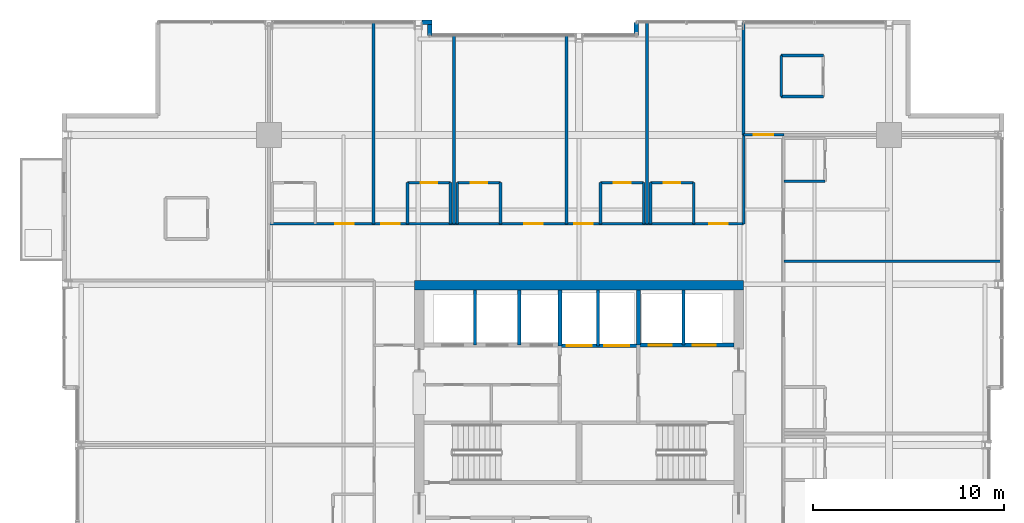
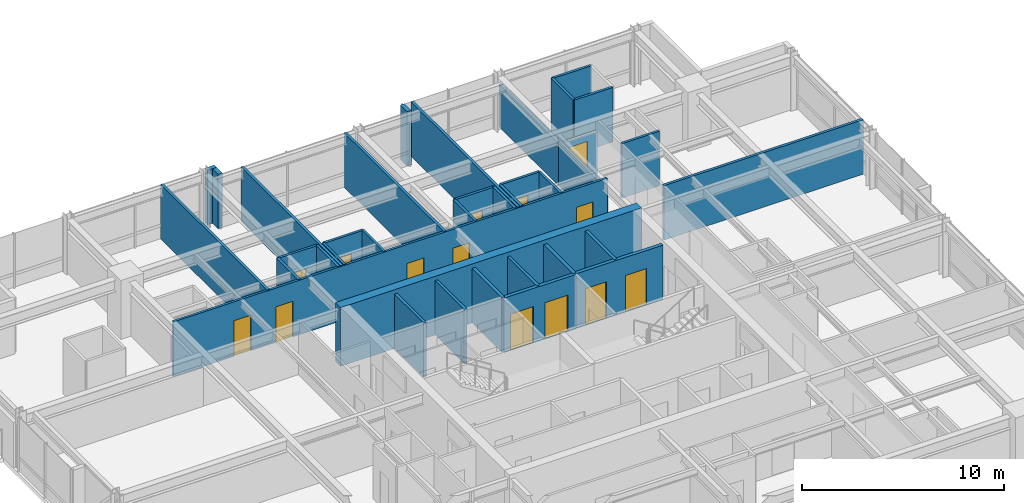
# One storey, part 28 of 32: 37 walls, 14 doors, 14 openings.
"""IFC4 building model written with IfcOpenShell, lengths in metres."""

from ifc_helpers import new_model, si_unit, direction, frame, frame_2d, origin, place, context, subcontext, project, spatial, rectangle, extrude, material, layer, layer_set, type_object, element, fill, save


model = new_model("IFC4")

# Units and contexts
model_context = context("Model", 3, precision=1e-05, world=origin(), true_north=direction((0.0, 1.0)))
body_context = subcontext(model_context, "Body", "Model", "MODEL_VIEW")
ifc_project = project(units=[si_unit("LENGTHUNIT", "METRE"), si_unit("AREAUNIT", "SQUARE_METRE"), si_unit("VOLUMEUNIT", "CUBIC_METRE"), si_unit("PLANEANGLEUNIT", "RADIAN"), si_unit("MASSUNIT", "GRAM", prefix="KILO")], contexts=[model_context])

# Site, building, storey
site_placement = place(None, origin())
site = spatial("IfcSite", under=ifc_project, at=site_placement, CompositionType="ELEMENT")
building_placement = place(site_placement, origin())
building = spatial("IfcBuilding", under=site, at=building_placement, Name="Drelvath Grand Hotel", CompositionType="ELEMENT")
storey_placement = place(building_placement, frame((0.0, 0.0, 182.35009765625)))
storey = spatial("IfcBuildingStorey", under=building, at=storey_placement, Name="L47", CompositionType="ELEMENT", Elevation=182.35009765625)

# Wall, openings, doors
ifc_material_1 = material(Name="Concrete C40/50", Category="concrete")
ifc_layer_1 = layer(ifc_material_1, 0.199951171875)
ifc_layer_set_1 = layer_set([ifc_layer_1], Name="Concrete C40/50")
wall_type_1 = type_object("IfcWallType", Name="Core Hoistway Fire Wall 200", PredefinedType="SOLIDWALL", material=ifc_layer_set_1)
wall_1_placement = place(storey_placement, frame((3.10009765625, 32.219970703125, 0.0), z_axis=(0.0, 0.0, 1.0), x_axis=(1.0, 0.0, 0.0)))
wall_1 = element("IfcWall", 1, at=wall_1_placement, inside=storey, type_object=wall_type_1, Name="L47 FSAE Hoistway Front Wall", PredefinedType="SOLIDWALL", context=body_context, shape_type="SweptSolid", body=[
    extrude(rectangle(XDim=5.0, YDim=0.199951171875, at=frame_2d((2.5, 0.0))), origin(), (0.0, 0.0, 1.0), 3.289794921875),
])
opening_1_placement = place(wall_1_placement, frame((0.550048828125, 0.0, 0.0)))
opening_1 = element("IfcOpeningElement", 2, at=opening_1_placement, cuts=wall_1, Name="Opening LD-FSAE-1", PredefinedType="OPENING", context=body_context, shape_type="SweptSolid", body=[
    extrude(rectangle(XDim=1.199951171875, YDim=2.199951171875, at=frame_2d((0.60009765625, 1.10009765625))), frame((0.0, 0.10986328125, 0.0), z_axis=(0.0, -1.0, 0.0), x_axis=(1.0, 0.0, 0.0)), (0.0, 0.0, 1.0), 0.219970703125),
])
opening_2_placement = place(wall_1_placement, frame((2.85009765625, 0.0, 0.0)))
opening_2 = element("IfcOpeningElement", 3, at=opening_2_placement, cuts=wall_1, Name="Opening LD-FSAE-2", PredefinedType="OPENING", context=body_context, shape_type="SweptSolid", body=[
    extrude(rectangle(XDim=1.199951171875, YDim=2.199951171875, at=frame_2d((0.60009765625, 1.10009765625))), frame((0.0, 0.10986328125, 0.0), z_axis=(0.0, -1.0, 0.0), x_axis=(1.0, 0.0, 0.0)), (0.0, 0.0, 1.0), 0.219970703125),
])
ifc_material_2 = material(Name="Stainless Steel S355", Category="steel")
door_type_1 = type_object("IfcDoorType", Name="FSAE Lift Sliding Landing Door 1200x2200", OperationType="NOTDEFINED", PredefinedType="DOOR", material=ifc_material_2)
door_1_placement = place(opening_1_placement, origin())
door_1 = element("IfcDoor", 4, at=door_1_placement, inside=storey, type_object=door_type_1, Name="L47 Lift FSAE-1 Landing Door", OperationType="SLIDING_TO_LEFT", OverallHeight=2.199951171875, OverallWidth=1.199951171875, PredefinedType="DOOR", context=body_context, shape_type="SweptSolid", body=[
    extrude(rectangle(XDim=1.199951171875, YDim=2.199951171875, at=frame_2d((0.60009765625, 1.10009765625))), frame((0.0, 0.02490234375, 0.0), z_axis=(0.0, -1.0, 0.0), x_axis=(1.0, 0.0, 0.0)), (0.0, 0.0, 1.0), 0.050048828125),
])
fill(opening_1, door_1)
door_2_placement = place(opening_2_placement, origin())
door_2 = element("IfcDoor", 5, at=door_2_placement, inside=storey, type_object=door_type_1, Name="L47 Lift FSAE-2 Landing Door", OperationType="SLIDING_TO_LEFT", OverallHeight=2.199951171875, OverallWidth=1.199951171875, PredefinedType="DOOR", context=body_context, shape_type="SweptSolid", body=[
    extrude(rectangle(XDim=1.199951171875, YDim=2.199951171875, at=frame_2d((0.60009765625, 1.10009765625))), frame((0.0, 0.02490234375, 0.0), z_axis=(0.0, -1.0, 0.0), x_axis=(1.0, 0.0, 0.0)), (0.0, 0.0, 1.0), 0.050048828125),
])
fill(opening_2, door_2)

# Wall
wall_2_placement = place(storey_placement, frame((3.10009765625, 32.219970703125, 0.0), z_axis=(0.0, 0.0, 1.0), x_axis=(0.0, 1.0, 0.0)))
element("IfcWall", 6, at=wall_2_placement, inside=storey, type_object=wall_type_1, Name="L47 FSAE Hoistway West Wall", PredefinedType="SOLIDWALL", context=body_context, shape_type="SweptSolid", body=[
    extrude(rectangle(XDim=2.880126953125, YDim=0.199951171875, at=frame_2d((1.43994140625, 0.0))), origin(), (0.0, 0.0, 1.0), 3.289794921875),
])

# Wall, openings, doors
wall_3_placement = place(storey_placement, frame((-1.0, 32.179931640625, 0.0), z_axis=(0.0, 0.0, 1.0), x_axis=(1.0, 0.0, 0.0)))
wall_3 = element("IfcWall", 7, at=wall_3_placement, inside=storey, type_object=wall_type_1, Name="L47 Service Lift Hoistway Wall", PredefinedType="SOLIDWALL", context=body_context, shape_type="SweptSolid", body=[
    extrude(rectangle(XDim=4.10009765625, YDim=0.199951171875, at=frame_2d((2.050048828125, 0.0))), origin(), (0.0, 0.0, 1.0), 3.289794921875),
])
opening_3_placement = place(wall_3_placement, frame((0.3701171875, 0.0, 0.0)))
opening_3 = element("IfcOpeningElement", 8, at=opening_3_placement, cuts=wall_3, Name="Opening LD-SV-2", PredefinedType="OPENING", context=body_context, shape_type="SweptSolid", body=[
    extrude(rectangle(XDim=1.300048828125, YDim=2.199951171875, at=frame_2d((0.64990234375, 1.10009765625))), frame((0.0, 0.10986328125, 0.0), z_axis=(0.0, -1.0, 0.0), x_axis=(1.0, 0.0, 0.0)), (0.0, 0.0, 1.0), 0.219970703125),
])
opening_4_placement = place(wall_3_placement, frame((2.330078125, 0.0, 0.0)))
opening_4 = element("IfcOpeningElement", 9, at=opening_4_placement, cuts=wall_3, Name="Opening LD-SV-1", PredefinedType="OPENING", context=body_context, shape_type="SweptSolid", body=[
    extrude(rectangle(XDim=1.300048828125, YDim=2.199951171875, at=frame_2d((0.64990234375, 1.10009765625))), frame((0.0, 0.10986328125, 0.0), z_axis=(0.0, -1.0, 0.0), x_axis=(1.0, 0.0, 0.0)), (0.0, 0.0, 1.0), 0.219970703125),
])
door_type_2 = type_object("IfcDoorType", Name="Service Lift Sliding Landing Door 1300x2200", OperationType="NOTDEFINED", PredefinedType="DOOR", material=ifc_material_2)
door_3_placement = place(opening_3_placement, origin())
door_3 = element("IfcDoor", 10, at=door_3_placement, inside=storey, type_object=door_type_2, Name="L47 Lift SV-2 Landing Door", OperationType="SLIDING_TO_LEFT", OverallHeight=2.199951171875, OverallWidth=1.300048828125, PredefinedType="DOOR", context=body_context, shape_type="SweptSolid", body=[
    extrude(rectangle(XDim=1.300048828125, YDim=2.199951171875, at=frame_2d((0.64990234375, 1.10009765625))), frame((0.0, 0.02490234375, 0.0), z_axis=(0.0, -1.0, 0.0), x_axis=(1.0, 0.0, 0.0)), (0.0, 0.0, 1.0), 0.050048828125),
])
fill(opening_3, door_3)
door_4_placement = place(opening_4_placement, origin())
door_4 = element("IfcDoor", 11, at=door_4_placement, inside=storey, type_object=door_type_2, Name="L47 Lift SV-1 Landing Door", OperationType="SLIDING_TO_LEFT", OverallHeight=2.199951171875, OverallWidth=1.300048828125, PredefinedType="DOOR", context=body_context, shape_type="SweptSolid", body=[
    extrude(rectangle(XDim=1.300048828125, YDim=2.199951171875, at=frame_2d((0.64990234375, 1.10009765625))), frame((0.0, 0.02490234375, 0.0), z_axis=(0.0, -1.0, 0.0), x_axis=(1.0, 0.0, 0.0)), (0.0, 0.0, 1.0), 0.050048828125),
])
fill(opening_4, door_4)

# Walls
wall_4_placement = place(storey_placement, frame((-1.0, 32.179931640625, 0.0), z_axis=(0.0, 0.0, 1.0), x_axis=(0.0, 1.0, 0.0)))
element("IfcWall", 12, at=wall_4_placement, inside=storey, type_object=wall_type_1, Name="L47 Service Lift West Wall", PredefinedType="SOLIDWALL", context=body_context, shape_type="SweptSolid", body=[
    extrude(rectangle(XDim=2.920166015625, YDim=0.199951171875, at=frame_2d((1.4599609375, 0.0))), origin(), (0.0, 0.0, 1.0), 3.289794921875),
])
ifc_material_3 = material(Name="Gypsum Fireboard Partition")
ifc_layer_2 = layer(ifc_material_3, 0.1650390625)
ifc_layer_set_2 = layer_set([ifc_layer_2], Name="Gypsum Fireboard Partition")
wall_type_2 = type_object("IfcWallType", Name="Core Shaft Partition 165", PredefinedType="PARTITIONING", material=ifc_layer_set_2)
wall_5_placement = place(storey_placement, frame((5.449951171875, 32.219970703125, 0.0), z_axis=(0.0, 0.0, 1.0), x_axis=(0.0, 1.0, 0.0)))
element("IfcWall", 13, at=wall_5_placement, inside=storey, type_object=wall_type_2, Name="L47 FSAE Hoistway Divider", PredefinedType="PARTITIONING", context=body_context, shape_type="SweptSolid", body=[
    extrude(rectangle(XDim=2.880126953125, YDim=0.1650390625, at=frame_2d((1.43994140625, 0.0))), origin(), (0.0, 0.0, 1.0), 3.289794921875),
])
wall_6_placement = place(storey_placement, frame((1.0, 32.179931640625, 0.0), z_axis=(0.0, 0.0, 1.0), x_axis=(0.0, 1.0, 0.0)))
element("IfcWall", 14, at=wall_6_placement, inside=storey, type_object=wall_type_2, Name="L47 Service Lift Divider", PredefinedType="PARTITIONING", context=body_context, shape_type="SweptSolid", body=[
    extrude(rectangle(XDim=2.920166015625, YDim=0.1650390625, at=frame_2d((1.4599609375, 0.0))), origin(), (0.0, 0.0, 1.0), 3.289794921875),
])
for number, where, z_axis, x_axis, name in (
    (15, (-5.43994140625, 32.219970703125, 0.0), (0.0, 0.0, 1.0), (0.0, 1.0, 0.0), "L47 Lift PE-7/8 Divider"),
    (16, (-3.1201171875, 32.219970703125, 0.0), (0.0, 0.0, 1.0), (0.0, 1.0, 0.0), "L47 Lift PE-8/9 Divider"),
):
    element("IfcWall", number, at=place(storey_placement, frame(where, z_axis=z_axis, x_axis=x_axis)), inside=storey, type_object=wall_type_2, Name=name, PredefinedType="PARTITIONING", context=body_context, shape_type="SweptSolid", body=[
        extrude(rectangle(XDim=2.880126953125, YDim=0.1650390625, at=frame_2d((1.43994140625, 0.0))), origin(), (0.0, 0.0, 1.0), 3.289794921875),
    ])
ifc_layer_3 = layer(ifc_material_3, 0.135009765625)
ifc_layer_set_3 = layer_set([ifc_layer_3], Name="Gypsum Fireboard Partition")
wall_type_3 = type_object("IfcWallType", Name="Corridor Fire Barrier Wall 135", PredefinedType="PARTITIONING", material=ifc_layer_set_3)
wall_7_placement = place(storey_placement, frame((8.60009765625, 38.550048828125, 0.0), z_axis=(0.0, 0.0, 1.0), x_axis=(0.0, 1.0, 0.0)))
element("IfcWall", 17, at=wall_7_placement, inside=storey, type_object=wall_type_3, Name="L47 East Spine North Inner Wall", PredefinedType="PARTITIONING", context=body_context, shape_type="SweptSolid", body=[
    extrude(rectangle(XDim=4.64990234375, YDim=0.135009765625, at=frame_2d((2.324951171875, 0.0))), origin(), (0.0, 0.0, 1.0), 2.667236328125),
])

# Wall, openings, doors
wall_8_placement = place(storey_placement, frame((-16.199951171875, 38.550048828125, 0.0), z_axis=(0.0, 0.0, 1.0), x_axis=(1.0, 0.0, 0.0)))
wall_8 = element("IfcWall", 18, at=wall_8_placement, inside=storey, type_object=wall_type_3, Name="L47 North Stub Corridor Wall", PredefinedType="PARTITIONING", context=body_context, shape_type="SweptSolid", body=[
    extrude(rectangle(XDim=24.800048828125, YDim=0.135009765625, at=frame_2d((12.39990234375, 0.0))), origin(), (0.0, 0.0, 1.0), 3.289794921875),
])
opening_5_placement = place(wall_8_placement, frame((3.46728515625, 0.0, 0.0)))
opening_5 = element("IfcOpeningElement", 19, at=opening_5_placement, cuts=wall_8, Name="Opening D-T3G4-040", PredefinedType="OPENING", context=body_context, shape_type="SweptSolid", body=[
    extrude(rectangle(XDim=0.9599609375, YDim=2.14990234375, at=frame_2d((0.47998046875, 1.074951171875))), frame((0.0, 0.077392578125, 0.0), z_axis=(0.0, -1.0, 0.0), x_axis=(1.0, 0.0, 0.0)), (0.0, 0.0, 1.0), 0.155029296875),
])
opening_6_placement = place(wall_8_placement, frame((5.87109375, 0.0, 0.0)))
opening_6 = element("IfcOpeningElement", 20, at=opening_6_placement, cuts=wall_8, Name="Opening D-T3G4-042", PredefinedType="OPENING", context=body_context, shape_type="SweptSolid", body=[
    extrude(rectangle(XDim=0.9599609375, YDim=2.14990234375, at=frame_2d((0.47998046875, 1.074951171875))), frame((0.0, 0.077392578125, 0.0), z_axis=(0.0, -1.0, 0.0), x_axis=(1.0, 0.0, 0.0)), (0.0, 0.0, 1.0), 0.155029296875),
])
opening_7_placement = place(wall_8_placement, frame((13.34521484375, 0.0, 0.0)))
opening_7 = element("IfcOpeningElement", 21, at=opening_7_placement, cuts=wall_8, Name="Opening D-T3G4-044", PredefinedType="OPENING", context=body_context, shape_type="SweptSolid", body=[
    extrude(rectangle(XDim=0.9599609375, YDim=2.14990234375, at=frame_2d((0.47998046875, 1.074951171875))), frame((0.0, 0.077392578125, 0.0), z_axis=(0.0, -1.0, 0.0), x_axis=(1.0, 0.0, 0.0)), (0.0, 0.0, 1.0), 0.155029296875),
])
opening_8_placement = place(wall_8_placement, frame((15.959228515625, 0.0, 0.0)))
opening_8 = element("IfcOpeningElement", 22, at=opening_8_placement, cuts=wall_8, Name="Opening D-T3G4-046", PredefinedType="OPENING", context=body_context, shape_type="SweptSolid", body=[
    extrude(rectangle(XDim=0.9599609375, YDim=2.14990234375, at=frame_2d((0.47998046875, 1.074951171875))), frame((0.0, 0.077392578125, 0.0), z_axis=(0.0, -1.0, 0.0), x_axis=(1.0, 0.0, 0.0)), (0.0, 0.0, 1.0), 0.155029296875),
])
opening_9_placement = place(wall_8_placement, frame((23.012939453125, 0.0, 0.0)))
opening_9 = element("IfcOpeningElement", 23, at=opening_9_placement, cuts=wall_8, Name="Opening D-T3G4-048", PredefinedType="OPENING", context=body_context, shape_type="SweptSolid", body=[
    extrude(rectangle(XDim=0.9599609375, YDim=2.14990234375, at=frame_2d((0.47998046875, 1.074951171875))), frame((0.0, 0.077392578125, 0.0), z_axis=(0.0, -1.0, 0.0), x_axis=(1.0, 0.0, 0.0)), (0.0, 0.0, 1.0), 0.155029296875),
])
ifc_material_4 = material(Name="Hardwood Walnut Timber", Category="wood")
door_type_3 = type_object("IfcDoorType", Name="Guestroom Entrance Fire Door 960x2150", OperationType="NOTDEFINED", PredefinedType="DOOR", material=ifc_material_4)
door_5_placement = place(opening_5_placement, origin())
door_5 = element("IfcDoor", 24, at=door_5_placement, inside=storey, type_object=door_type_3, Name="L47 Deluxe Guest Room Entry Door", OperationType="SINGLE_SWING_RIGHT", OverallHeight=2.14990234375, OverallWidth=0.9599609375, PredefinedType="DOOR", context=body_context, shape_type="SweptSolid", body=[
    extrude(rectangle(XDim=0.9599609375, YDim=2.14990234375, at=frame_2d((0.47998046875, 1.074951171875))), frame((0.0, 0.02490234375, 0.0), z_axis=(0.0, -1.0, 0.0), x_axis=(1.0, 0.0, 0.0)), (0.0, 0.0, 1.0), 0.050048828125),
])
fill(opening_5, door_5)
door_6_placement = place(opening_6_placement, origin())
door_6 = element("IfcDoor", 25, at=door_6_placement, inside=storey, type_object=door_type_3, Name="L47 Deluxe Guest Room Entry Door", OperationType="SINGLE_SWING_RIGHT", OverallHeight=2.14990234375, OverallWidth=0.9599609375, PredefinedType="DOOR", context=body_context, shape_type="SweptSolid", body=[
    extrude(rectangle(XDim=0.9599609375, YDim=2.14990234375, at=frame_2d((0.47998046875, 1.074951171875))), frame((0.0, 0.02490234375, 0.0), z_axis=(0.0, -1.0, 0.0), x_axis=(1.0, 0.0, 0.0)), (0.0, 0.0, 1.0), 0.050048828125),
])
fill(opening_6, door_6)
door_7_placement = place(opening_7_placement, origin())
door_7 = element("IfcDoor", 26, at=door_7_placement, inside=storey, type_object=door_type_3, Name="L47 Deluxe Guest Room Entry Door", OperationType="SINGLE_SWING_RIGHT", OverallHeight=2.14990234375, OverallWidth=0.9599609375, PredefinedType="DOOR", context=body_context, shape_type="SweptSolid", body=[
    extrude(rectangle(XDim=0.9599609375, YDim=2.14990234375, at=frame_2d((0.47998046875, 1.074951171875))), frame((0.0, 0.02490234375, 0.0), z_axis=(0.0, -1.0, 0.0), x_axis=(1.0, 0.0, 0.0)), (0.0, 0.0, 1.0), 0.050048828125),
])
fill(opening_7, door_7)
door_8_placement = place(opening_8_placement, origin())
door_8 = element("IfcDoor", 27, at=door_8_placement, inside=storey, type_object=door_type_3, Name="L47 Deluxe Guest Room Entry Door", OperationType="SINGLE_SWING_RIGHT", OverallHeight=2.14990234375, OverallWidth=0.9599609375, PredefinedType="DOOR", context=body_context, shape_type="SweptSolid", body=[
    extrude(rectangle(XDim=0.9599609375, YDim=2.14990234375, at=frame_2d((0.47998046875, 1.074951171875))), frame((0.0, 0.02490234375, 0.0), z_axis=(0.0, -1.0, 0.0), x_axis=(1.0, 0.0, 0.0)), (0.0, 0.0, 1.0), 0.050048828125),
])
fill(opening_8, door_8)
door_9_placement = place(opening_9_placement, origin())
door_9 = element("IfcDoor", 28, at=door_9_placement, inside=storey, type_object=door_type_3, Name="L47 Deluxe Guest Room Entry Door", OperationType="SINGLE_SWING_RIGHT", OverallHeight=2.14990234375, OverallWidth=0.9599609375, PredefinedType="DOOR", context=body_context, shape_type="SweptSolid", body=[
    extrude(rectangle(XDim=0.9599609375, YDim=2.14990234375, at=frame_2d((0.47998046875, 1.074951171875))), frame((0.0, 0.02490234375, 0.0), z_axis=(0.0, -1.0, 0.0), x_axis=(1.0, 0.0, 0.0)), (0.0, 0.0, 1.0), 0.050048828125),
])
fill(opening_9, door_9)

# Wall, opening, door
wall_9_placement = place(storey_placement, frame((8.60009765625, 43.199951171875, 0.0), z_axis=(0.0, 0.0, 1.0), x_axis=(1.0, 0.0, 0.0)))
wall_9 = element("IfcWall", 29, at=wall_9_placement, inside=storey, type_object=wall_type_3, Name="L47 East Spine North End", PredefinedType="PARTITIONING", context=body_context, shape_type="SweptSolid", body=[
    extrude(rectangle(XDim=2.099853515625, YDim=0.135009765625, at=frame_2d((1.0498046875, 0.0))), origin(), (0.0, 0.0, 1.0), 2.579345703125),
])
opening_10_placement = place(wall_9_placement, frame((0.52001953125, 0.0, 0.0)))
opening_10 = element("IfcOpeningElement", 30, at=opening_10_placement, cuts=wall_9, Name="Opening D-T3G4-033", PredefinedType="OPENING", context=body_context, shape_type="SweptSolid", body=[
    extrude(rectangle(XDim=1.02001953125, YDim=2.14990234375, at=frame_2d((0.510009765625, 1.074951171875))), frame((0.0, 0.077392578125, 0.0), z_axis=(0.0, -1.0, 0.0), x_axis=(1.0, 0.0, 0.0)), (0.0, 0.0, 1.0), 0.155029296875),
])
door_type_4 = type_object("IfcDoorType", Name="Amenity Meeting Fire Door 1020x2150", OperationType="NOTDEFINED", PredefinedType="DOOR", material=ifc_material_4)
door_10_placement = place(opening_10_placement, origin())
door_10 = element("IfcDoor", 31, at=door_10_placement, inside=storey, type_object=door_type_4, Name="L47 Executive Suite Entry Door", OperationType="SINGLE_SWING_LEFT", OverallHeight=2.14990234375, OverallWidth=1.02001953125, PredefinedType="DOOR", context=body_context, shape_type="SweptSolid", body=[
    extrude(rectangle(XDim=1.02001953125, YDim=2.14990234375, at=frame_2d((0.510009765625, 1.074951171875))), frame((0.0, 0.02490234375, 0.0), z_axis=(0.0, -1.0, 0.0), x_axis=(1.0, 0.0, 0.0)), (0.0, 0.0, 1.0), 0.050048828125),
])
fill(opening_10, door_10)

# Walls
ifc_material_5 = material(Name="Moisture-Resistant Gypsum Board")
ifc_layer_4 = layer(ifc_material_5, 0.139892578125)
ifc_layer_set_4 = layer_set([ifc_layer_4], Name="Moisture-Resistant Gypsum Board")
wall_type_4 = type_object("IfcWallType", Name="En-Suite Plumbing Wall 140", PredefinedType="PLUMBINGWALL", material=ifc_layer_set_4)
for number, where, z_axis, x_axis, name in (
    (32, (10.56005859375, 45.199951171875, 0.0), (0.0, 0.0, 1.0), (1.0, 0.0, 0.0), "L47 Corner En-Suite South"),
    (33, (10.56005859375, 47.35009765625, 0.0), (0.0, 0.0, 1.0), (1.0, 0.0, 0.0), "L47 Corner En-Suite North"),
):
    element("IfcWall", number, at=place(storey_placement, frame(where, z_axis=z_axis, x_axis=x_axis)), inside=storey, type_object=wall_type_4, Name=name, PredefinedType="PLUMBINGWALL", context=body_context, shape_type="SweptSolid", body=[
        extrude(rectangle(XDim=2.199951171875, YDim=0.139892578125, at=frame_2d((1.10009765625, 0.0))), origin(), (0.0, 0.0, 1.0), 3.289794921875),
    ])
wall_10_placement = place(storey_placement, frame((10.56005859375, 45.199951171875, 0.0), z_axis=(0.0, 0.0, 1.0), x_axis=(0.0, 1.0, 0.0)))
element("IfcWall", 34, at=wall_10_placement, inside=storey, type_object=wall_type_4, Name="L47 Corner En-Suite West", PredefinedType="PLUMBINGWALL", context=body_context, shape_type="SweptSolid", body=[
    extrude(rectangle(XDim=2.150146484375, YDim=0.139892578125, at=frame_2d((1.0751953125, 0.0))), origin(), (0.0, 0.0, 1.0), 3.289794921875),
])
for number, where, z_axis, x_axis, name in (
    (35, (-8.962158203125, 38.550048828125, 0.0), (0.0, 0.0, 1.0), (0.0, 1.0, 0.0), "L47 En-Suite Left Wall"),
    (36, (-6.712158203125, 38.550048828125, 0.0), (0.0, 0.0, 1.0), (0.0, 1.0, 0.0), "L47 En-Suite Right Wall"),
):
    element("IfcWall", number, at=place(storey_placement, frame(where, z_axis=z_axis, x_axis=x_axis)), inside=storey, type_object=wall_type_4, Name=name, PredefinedType="PLUMBINGWALL", context=body_context, shape_type="SweptSolid", body=[
        extrude(rectangle(XDim=2.14990234375, YDim=0.139892578125, at=frame_2d((1.074951171875, 0.0))), origin(), (0.0, 0.0, 1.0), 3.289794921875),
    ])

# Wall, opening, door
wall_11_placement = place(storey_placement, frame((-8.962158203125, 40.699951171875, 0.0), z_axis=(0.0, 0.0, 1.0), x_axis=(1.0, 0.0, 0.0)))
wall_11 = element("IfcWall", 37, at=wall_11_placement, inside=storey, type_object=wall_type_4, Name="L47 En-Suite Front Wall", PredefinedType="PLUMBINGWALL", context=body_context, shape_type="SweptSolid", body=[
    extrude(rectangle(XDim=2.25, YDim=0.139892578125, at=frame_2d((1.125, 0.0))), origin(), (0.0, 0.0, 1.0), 3.289794921875),
])
opening_11_placement = place(wall_11_placement, frame((0.68505859375, 0.0, 0.0)))
opening_11 = element("IfcOpeningElement", 38, at=opening_11_placement, cuts=wall_11, Name="Opening D-T3G4-041", PredefinedType="OPENING", context=body_context, shape_type="SweptSolid", body=[
    extrude(rectangle(XDim=0.8798828125, YDim=2.10009765625, at=frame_2d((0.43994140625, 1.050048828125))), frame((0.0, 0.079833984375, 0.0), z_axis=(0.0, -1.0, 0.0), x_axis=(1.0, 0.0, 0.0)), (0.0, 0.0, 1.0), 0.159912109375),
])
door_type_5 = type_object("IfcDoorType", Name="En-Suite Bathroom Door 880x2100", OperationType="NOTDEFINED", PredefinedType="DOOR", material=ifc_material_4)
door_11_placement = place(opening_11_placement, origin())
door_11 = element("IfcDoor", 39, at=door_11_placement, inside=storey, type_object=door_type_5, Name="L47 En-Suite Bathroom Door", OperationType="SINGLE_SWING_LEFT", OverallHeight=2.10009765625, OverallWidth=0.8798828125, PredefinedType="DOOR", context=body_context, shape_type="SweptSolid", body=[
    extrude(rectangle(XDim=0.8798828125, YDim=2.10009765625, at=frame_2d((0.43994140625, 1.050048828125))), frame((0.0, 0.02490234375, 0.0), z_axis=(0.0, -1.0, 0.0), x_axis=(1.0, 0.0, 0.0)), (0.0, 0.0, 1.0), 0.050048828125),
])
fill(opening_11, door_11)

# Walls
for number, where, z_axis, x_axis, name in (
    (40, (-6.352294921875, 38.550048828125, 0.0), (0.0, 0.0, 1.0), (0.0, 1.0, 0.0), "L47 En-Suite Left Wall"),
    (41, (-4.102294921875, 38.550048828125, 0.0), (0.0, 0.0, 1.0), (0.0, 1.0, 0.0), "L47 En-Suite Right Wall"),
):
    element("IfcWall", number, at=place(storey_placement, frame(where, z_axis=z_axis, x_axis=x_axis)), inside=storey, type_object=wall_type_4, Name=name, PredefinedType="PLUMBINGWALL", context=body_context, shape_type="SweptSolid", body=[
        extrude(rectangle(XDim=2.14990234375, YDim=0.139892578125, at=frame_2d((1.074951171875, 0.0))), origin(), (0.0, 0.0, 1.0), 3.289794921875),
    ])

# Wall, opening, door
wall_12_placement = place(storey_placement, frame((-6.352294921875, 40.699951171875, 0.0), z_axis=(0.0, 0.0, 1.0), x_axis=(1.0, 0.0, 0.0)))
wall_12 = element("IfcWall", 42, at=wall_12_placement, inside=storey, type_object=wall_type_4, Name="L47 En-Suite Front Wall", PredefinedType="PLUMBINGWALL", context=body_context, shape_type="SweptSolid", body=[
    extrude(rectangle(XDim=2.25, YDim=0.139892578125, at=frame_2d((1.125, 0.0))), origin(), (0.0, 0.0, 1.0), 3.289794921875),
])
opening_12_placement = place(wall_12_placement, frame((0.68505859375, 0.0, 0.0)))
opening_12 = element("IfcOpeningElement", 43, at=opening_12_placement, cuts=wall_12, Name="Opening D-T3G4-043", PredefinedType="OPENING", context=body_context, shape_type="SweptSolid", body=[
    extrude(rectangle(XDim=0.8798828125, YDim=2.10009765625, at=frame_2d((0.43994140625, 1.050048828125))), frame((0.0, 0.079833984375, 0.0), z_axis=(0.0, -1.0, 0.0), x_axis=(1.0, 0.0, 0.0)), (0.0, 0.0, 1.0), 0.159912109375),
])
door_12_placement = place(opening_12_placement, origin())
door_12 = element("IfcDoor", 44, at=door_12_placement, inside=storey, type_object=door_type_5, Name="L47 En-Suite Bathroom Door", OperationType="SINGLE_SWING_LEFT", OverallHeight=2.10009765625, OverallWidth=0.8798828125, PredefinedType="DOOR", context=body_context, shape_type="SweptSolid", body=[
    extrude(rectangle(XDim=0.8798828125, YDim=2.10009765625, at=frame_2d((0.43994140625, 1.050048828125))), frame((0.0, 0.02490234375, 0.0), z_axis=(0.0, -1.0, 0.0), x_axis=(1.0, 0.0, 0.0)), (0.0, 0.0, 1.0), 0.050048828125),
])
fill(opening_12, door_12)

# Walls
for number, where, z_axis, x_axis, name in (
    (45, (1.1259765625, 38.550048828125, 0.0), (0.0, 0.0, 1.0), (0.0, 1.0, 0.0), "L47 En-Suite Left Wall"),
    (46, (3.3759765625, 38.550048828125, 0.0), (0.0, 0.0, 1.0), (0.0, 1.0, 0.0), "L47 En-Suite Right Wall"),
):
    element("IfcWall", number, at=place(storey_placement, frame(where, z_axis=z_axis, x_axis=x_axis)), inside=storey, type_object=wall_type_4, Name=name, PredefinedType="PLUMBINGWALL", context=body_context, shape_type="SweptSolid", body=[
        extrude(rectangle(XDim=2.14990234375, YDim=0.139892578125, at=frame_2d((1.074951171875, 0.0))), origin(), (0.0, 0.0, 1.0), 3.289794921875),
    ])

# Wall, opening, door
wall_13_placement = place(storey_placement, frame((1.1259765625, 40.699951171875, 0.0), z_axis=(0.0, 0.0, 1.0), x_axis=(1.0, 0.0, 0.0)))
wall_13 = element("IfcWall", 47, at=wall_13_placement, inside=storey, type_object=wall_type_4, Name="L47 En-Suite Front Wall", PredefinedType="PLUMBINGWALL", context=body_context, shape_type="SweptSolid", body=[
    extrude(rectangle(XDim=2.25, YDim=0.139892578125, at=frame_2d((1.125, 0.0))), origin(), (0.0, 0.0, 1.0), 3.289794921875),
])
opening_13_placement = place(wall_13_placement, frame((0.68505859375, 0.0, 0.0)))
opening_13 = element("IfcOpeningElement", 48, at=opening_13_placement, cuts=wall_13, Name="Opening D-T3G4-045", PredefinedType="OPENING", context=body_context, shape_type="SweptSolid", body=[
    extrude(rectangle(XDim=0.8798828125, YDim=2.10009765625, at=frame_2d((0.43994140625, 1.050048828125))), frame((0.0, 0.079833984375, 0.0), z_axis=(0.0, -1.0, 0.0), x_axis=(1.0, 0.0, 0.0)), (0.0, 0.0, 1.0), 0.159912109375),
])
door_13_placement = place(opening_13_placement, origin())
door_13 = element("IfcDoor", 49, at=door_13_placement, inside=storey, type_object=door_type_5, Name="L47 En-Suite Bathroom Door", OperationType="SINGLE_SWING_LEFT", OverallHeight=2.10009765625, OverallWidth=0.8798828125, PredefinedType="DOOR", context=body_context, shape_type="SweptSolid", body=[
    extrude(rectangle(XDim=0.8798828125, YDim=2.10009765625, at=frame_2d((0.43994140625, 1.050048828125))), frame((0.0, 0.02490234375, 0.0), z_axis=(0.0, -1.0, 0.0), x_axis=(1.0, 0.0, 0.0)), (0.0, 0.0, 1.0), 0.050048828125),
])
fill(opening_13, door_13)

# Walls
for number, where, z_axis, x_axis, name in (
    (50, (3.73583984375, 38.550048828125, 0.0), (0.0, 0.0, 1.0), (0.0, 1.0, 0.0), "L47 En-Suite Left Wall"),
    (51, (5.98583984375, 38.550048828125, 0.0), (0.0, 0.0, 1.0), (0.0, 1.0, 0.0), "L47 En-Suite Right Wall"),
):
    element("IfcWall", number, at=place(storey_placement, frame(where, z_axis=z_axis, x_axis=x_axis)), inside=storey, type_object=wall_type_4, Name=name, PredefinedType="PLUMBINGWALL", context=body_context, shape_type="SweptSolid", body=[
        extrude(rectangle(XDim=2.14990234375, YDim=0.139892578125, at=frame_2d((1.074951171875, 0.0))), origin(), (0.0, 0.0, 1.0), 3.289794921875),
    ])

# Wall, opening, door
wall_14_placement = place(storey_placement, frame((3.73583984375, 40.699951171875, 0.0), z_axis=(0.0, 0.0, 1.0), x_axis=(1.0, 0.0, 0.0)))
wall_14 = element("IfcWall", 52, at=wall_14_placement, inside=storey, type_object=wall_type_4, Name="L47 En-Suite Front Wall", PredefinedType="PLUMBINGWALL", context=body_context, shape_type="SweptSolid", body=[
    extrude(rectangle(XDim=2.25, YDim=0.139892578125, at=frame_2d((1.125, 0.0))), origin(), (0.0, 0.0, 1.0), 3.289794921875),
])
opening_14_placement = place(wall_14_placement, frame((0.68505859375, 0.0, 0.0)))
opening_14 = element("IfcOpeningElement", 53, at=opening_14_placement, cuts=wall_14, Name="Opening D-T3G4-047", PredefinedType="OPENING", context=body_context, shape_type="SweptSolid", body=[
    extrude(rectangle(XDim=0.8798828125, YDim=2.10009765625, at=frame_2d((0.43994140625, 1.050048828125))), frame((0.0, 0.079833984375, 0.0), z_axis=(0.0, -1.0, 0.0), x_axis=(1.0, 0.0, 0.0)), (0.0, 0.0, 1.0), 0.159912109375),
])
door_14_placement = place(opening_14_placement, origin())
door_14 = element("IfcDoor", 54, at=door_14_placement, inside=storey, type_object=door_type_5, Name="L47 En-Suite Bathroom Door", OperationType="SINGLE_SWING_LEFT", OverallHeight=2.10009765625, OverallWidth=0.8798828125, PredefinedType="DOOR", context=body_context, shape_type="SweptSolid", body=[
    extrude(rectangle(XDim=0.8798828125, YDim=2.10009765625, at=frame_2d((0.43994140625, 1.050048828125))), frame((0.0, 0.02490234375, 0.0), z_axis=(0.0, -1.0, 0.0), x_axis=(1.0, 0.0, 0.0)), (0.0, 0.0, 1.0), 0.050048828125),
])
fill(opening_14, door_14)

# Walls
wall_15_placement = place(storey_placement, frame((10.699951171875, 40.77001953125, 0.0), z_axis=(0.0, 0.0, 1.0), x_axis=(1.0, 0.0, 0.0)))
element("IfcWall", 55, at=wall_15_placement, inside=storey, type_object=wall_type_4, Name="L47 En-Suite Left Wall", PredefinedType="PLUMBINGWALL", context=body_context, shape_type="SweptSolid", body=[
    extrude(rectangle(XDim=2.150146484375, YDim=0.139892578125, at=frame_2d((1.0751953125, 0.0))), origin(), (0.0, 0.0, 1.0), 3.289794921875),
])
ifc_material_6 = material(Name="Gypsum Acoustic Partition")
ifc_layer_5 = layer(ifc_material_6, 0.14990234375)
ifc_layer_set_5 = layer_set([ifc_layer_5], Name="Gypsum Acoustic Partition")
wall_type_5 = type_object("IfcWallType", Name="Guestroom Demising Wall 150", PredefinedType="PARTITIONING", material=ifc_layer_set_5)
wall_16_placement = place(storey_placement, frame((-10.735595703125, 38.550048828125, 0.0), z_axis=(0.0, 0.0, 1.0), x_axis=(0.0, 1.0, 0.0)))
element("IfcWall", 56, at=wall_16_placement, inside=storey, type_object=wall_type_5, Name="L47 North Demising 1", PredefinedType="PARTITIONING", context=body_context, shape_type="SweptSolid", body=[
    extrude(rectangle(XDim=10.530029296875, YDim=0.14990234375, at=frame_2d((5.26513671875, 0.0))), origin(), (0.0, 0.0, 1.0), 3.289794921875),
])
for number, where, z_axis, x_axis, name in (
    (57, (-6.5322265625, 38.550048828125, 0.0), (0.0, 0.0, 1.0), (0.0, 1.0, 0.0), "L47 North Demising 2"),
    (58, (-0.6474609375, 38.550048828125, 0.0), (0.0, 0.0, 1.0), (0.0, 1.0, 0.0), "L47 North Demising 3"),
):
    element("IfcWall", number, at=place(storey_placement, frame(where, z_axis=z_axis, x_axis=x_axis)), inside=storey, type_object=wall_type_5, Name=name, PredefinedType="PARTITIONING", context=body_context, shape_type="SweptSolid", body=[
        extrude(rectangle(XDim=9.849853515625, YDim=0.14990234375, at=frame_2d((4.9248046875, 0.0))), origin(), (0.0, 0.0, 1.0), 3.289794921875),
    ])
wall_17_placement = place(storey_placement, frame((3.555908203125, 38.550048828125, 0.0), z_axis=(0.0, 0.0, 1.0), x_axis=(0.0, 1.0, 0.0)))
element("IfcWall", 59, at=wall_17_placement, inside=storey, type_object=wall_type_5, Name="L47 North Demising 4", PredefinedType="PARTITIONING", context=body_context, shape_type="SweptSolid", body=[
    extrude(rectangle(XDim=10.530029296875, YDim=0.14990234375, at=frame_2d((5.26513671875, 0.0))), origin(), (0.0, 0.0, 1.0), 3.289794921875),
])
wall_18_placement = place(storey_placement, frame((10.699951171875, 36.60009765625, 0.0), z_axis=(0.0, 0.0, 1.0), x_axis=(1.0, 0.0, 0.0)))
element("IfcWall", 60, at=wall_18_placement, inside=storey, type_object=wall_type_5, Name="L47 East Demising 3", PredefinedType="PARTITIONING", context=body_context, shape_type="SweptSolid", body=[
    extrude(rectangle(XDim=11.380126953125, YDim=0.14990234375, at=frame_2d((5.68994140625, 0.0))), origin(), (0.0, 0.0, 1.0), 3.289794921875),
])
ifc_layer_6 = layer(ifc_material_6, 0.1650390625)
ifc_layer_set_6 = layer_set([ifc_layer_6], Name="Gypsum Acoustic Partition")
wall_type_6 = type_object("IfcWallType", Name="Suite Demising Wall 165", PredefinedType="PARTITIONING", material=ifc_layer_set_6)
wall_19_placement = place(storey_placement, frame((8.60009765625, 43.199951171875, 0.0), z_axis=(0.0, 0.0, 1.0), x_axis=(0.0, 1.0, 0.0)))
element("IfcWall", 61, at=wall_19_placement, inside=storey, type_object=wall_type_6, Name="L47 NE Suite West Wall", PredefinedType="PARTITIONING", context=body_context, shape_type="SweptSolid", body=[
    extrude(rectangle(XDim=5.880126953125, YDim=0.1650390625, at=frame_2d((2.93994140625, 0.0))), origin(), (0.0, 0.0, 1.0), 2.579345703125),
])
ifc_material_7 = material(Name="Pale-Metal Insulated Aluminium Spandrel Assembly", Category="aluminium")
ifc_layer_7 = layer(ifc_material_7, 0.239990234375)
ifc_layer_set_7 = layer_set([ifc_layer_7], Name="Pale-Metal Insulated Aluminium Spandrel Assembly")
wall_type_7 = type_object("IfcWallType", Name="Tower Insulated Metal Spandrel Closure Wall 240", PredefinedType="STANDARD", material=ifc_layer_set_7)
wall_20_placement = place(storey_placement, frame((-8.208251953125, 49.080078125, 0.0), z_axis=(0.0, 0.0, 1.0), x_axis=(1.0, 0.0, 0.0)))
element("IfcWall", 62, at=wall_20_placement, inside=storey, type_object=wall_type_7, Name="L47 Corner Pier Spandrel Wall NW3", PredefinedType="STANDARD", context=body_context, shape_type="SweptSolid", body=[
    extrude(rectangle(XDim=0.5283203125, YDim=0.239990234375, at=frame_2d((0.26416015625, 0.0))), origin(), (0.0, 0.0, 1.0), 3.289794921875),
])
wall_21_placement = place(storey_placement, frame((-7.800048828125, 48.9599609375, 0.0), z_axis=(0.0, 0.0, 1.0), x_axis=(0.0, -1.0, 0.0)))
element("IfcWall", 63, at=wall_21_placement, inside=storey, type_object=wall_type_7, Name="L47 Notched Corner Return Spandrel Wall RN1", PredefinedType="STANDARD", context=body_context, shape_type="SweptSolid", body=[
    extrude(rectangle(XDim=0.56005859375, YDim=0.239990234375, at=frame_2d((0.280029296875, 0.0))), origin(), (0.0, 0.0, 1.0), 3.289794921875),
])
wall_22_placement = place(storey_placement, frame((3.0, 48.39990234375, 0.0), z_axis=(0.0, 0.0, 1.0), x_axis=(0.0, 1.0, 0.0)))
element("IfcWall", 64, at=wall_22_placement, inside=storey, type_object=wall_type_7, Name="L47 Notched Corner Return Spandrel Wall RN2", PredefinedType="STANDARD", context=body_context, shape_type="SweptSolid", body=[
    extrude(rectangle(XDim=0.68017578125, YDim=0.239990234375, at=frame_2d((0.340087890625, 0.0))), origin(), (0.0, 0.0, 1.0), 3.289794921875),
])
ifc_material_8 = material(Name="Concrete f'c 55 MPa", Category="concrete")
ifc_layer_8 = layer(ifc_material_8, 0.5)
ifc_layer_set_8 = layer_set([ifc_layer_8], Name="Concrete f'c 55 MPa")
wall_type_8 = type_object("IfcWallType", Name="Upper Core RC Shear Wall 500", PredefinedType="SHEAR", material=ifc_layer_set_8)
wall_23_placement = place(storey_placement, frame((-8.60009765625, 35.35009765625, 0.0), z_axis=(0.0, 0.0, 1.0), x_axis=(1.0, 0.0, 0.0)))
element("IfcWall", 65, at=wall_23_placement, inside=storey, type_object=wall_type_8, Name="L47 Central Core Shear Wall N", PredefinedType="SHEAR", context=body_context, shape_type="SweptSolid", body=[
    extrude(rectangle(XDim=17.2001953125, YDim=0.5, at=frame_2d((8.60009765625, 0.0))), origin(), (0.0, 0.0, 1.0), 3.5498046875),
])

save(model, "model.ifc")
